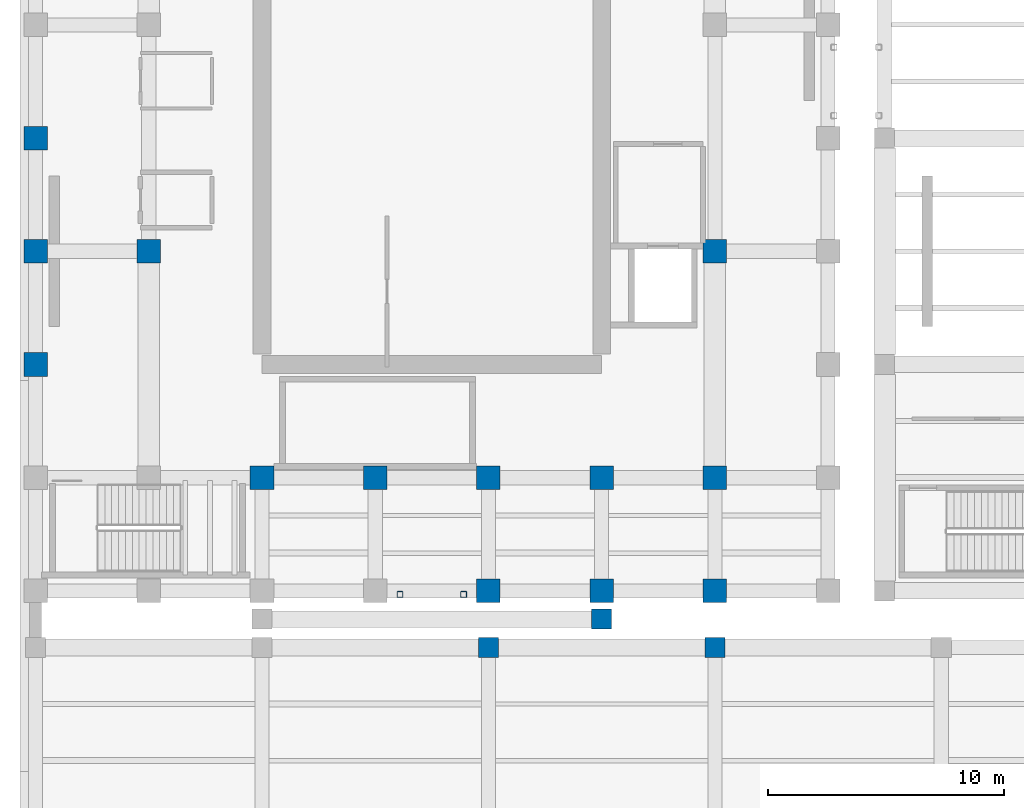
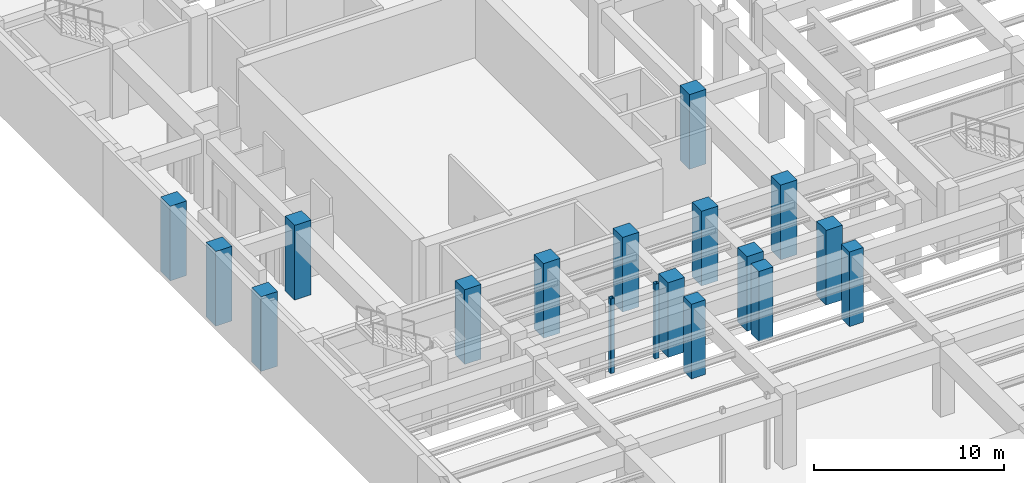
# One storey, part 4 of 45: 18 columns.
"""IFC4 building model written with IfcOpenShell, lengths in metres."""

from ifc_helpers import new_model, si_unit, direction, frame, origin, origin_2d, place, context, subcontext, project, spatial, rectangle, hollow_rectangle, extrude, material, material_profile, profile_set, type_object, element, save


model = new_model("IFC4")

# Units and contexts
model_context = context("Model", 3, precision=1e-05, world=origin(), true_north=direction((0.0, 1.0)))
body_context = subcontext(model_context, "Body", "Model", "MODEL_VIEW")
ifc_project = project(units=[si_unit("LENGTHUNIT", "METRE"), si_unit("AREAUNIT", "SQUARE_METRE"), si_unit("VOLUMEUNIT", "CUBIC_METRE"), si_unit("PLANEANGLEUNIT", "RADIAN"), si_unit("MASSUNIT", "GRAM", prefix="KILO")], contexts=[model_context])

# Site, building, storey
site_placement = place(None, origin())
site = spatial("IfcSite", under=ifc_project, at=site_placement, CompositionType="ELEMENT")
building_placement = place(site_placement, origin())
building = spatial("IfcBuilding", under=site, at=building_placement, Name="Mavantir Sound Aquarium", CompositionType="ELEMENT")
storey_placement = place(building_placement, frame((0.0, 0.0, -4.800048828125)))
storey = spatial("IfcBuildingStorey", under=building, at=storey_placement, Name="B1", CompositionType="ELEMENT", Elevation=-4.800048828125)

# Columns
ifc_material_1 = material(Name="Concrete C40/50", Category="concrete")
ifc_material_profile_1 = material_profile(ifc_material_1, rectangle(XDim=1.0, YDim=1.0, at=origin_2d()), Name="RC 1000X1000")
ifc_profile_set_1 = profile_set([ifc_material_profile_1], Name="Concrete C40/50")
column_type_1 = type_object("IfcColumnType", Name="COL-RC1000-E", PredefinedType="COLUMN", material=ifc_profile_set_1)
for number, where, z_axis, x_axis, name in (
    (1, (0.0, 50.39990234375, 0.0), (0.0, 0.0, 1.0), (1.0, 0.0, 0.0), "B1 column RC-C10 (V1)"),
    (2, (0.0, 55.199951171875, 0.0), (0.0, 0.0, 1.0), (1.0, 0.0, 0.0), "B1 column RC-C10 (V1)"),
    (3, (0.0, 60.0, 0.0), (0.0, 0.0, 1.0), (1.0, 0.0, 0.0), "B1 column RC-C10 (V1)"),
):
    element("IfcColumn", number, at=place(storey_placement, frame(where, z_axis=z_axis, x_axis=x_axis)), inside=storey, type_object=column_type_1, Name=name, PredefinedType="COLUMN", context=body_context, shape_type="SweptSolid", body=[
        extrude(rectangle(XDim=1.0, YDim=1.0, at=origin_2d()), origin(), (0.0, 0.0, 1.0), 4.800048828125),
    ])
ifc_material_profile_2 = material_profile(ifc_material_1, rectangle(XDim=1.0, YDim=1.0, at=origin_2d()), Name="RC 1000X1000")
ifc_profile_set_2 = profile_set([ifc_material_profile_2], Name="Concrete C40/50")
column_type_2 = type_object("IfcColumnType", Name="COL-RC1000-I", PredefinedType="COLUMN", material=ifc_profile_set_2)
for number, where, z_axis, x_axis, name in (
    (4, (4.800048828125, 55.199951171875, 0.0), (0.0, 0.0, 1.0), (1.0, 0.0, 0.0), "B1 column RC-C10 (V1)"),
    (5, (9.60009765625, 45.60009765625, 0.0), (0.0, 0.0, 1.0), (1.0, 0.0, 0.0), "B1 column RC-C10 (V1)"),
    (6, (14.39990234375, 45.60009765625, 0.0), (0.0, 0.0, 1.0), (1.0, 0.0, 0.0), "B1 column RC-C10 (V1)"),
    (7, (19.199951171875, 40.800048828125, 0.0), (0.0, 0.0, 1.0), (1.0, 0.0, 0.0), "B1 column RC-C10 (V1)"),
    (8, (19.199951171875, 45.60009765625, 0.0), (0.0, 0.0, 1.0), (1.0, 0.0, 0.0), "B1 column RC-C10 (V1)"),
    (9, (24.0, 40.800048828125, 0.0), (0.0, 0.0, 1.0), (1.0, 0.0, 0.0), "B1 column RC-C10 (V1)"),
    (10, (24.0, 45.60009765625, 0.0), (0.0, 0.0, 1.0), (1.0, 0.0, 0.0), "B1 column RC-C10 (V1)"),
    (11, (28.800048828125, 40.800048828125, 0.0), (0.0, 0.0, 1.0), (1.0, 0.0, 0.0), "B1 column RC-C10 (V1)"),
    (12, (28.800048828125, 45.60009765625, 0.0), (0.0, 0.0, 1.0), (1.0, 0.0, 0.0), "B1 column RC-C10 (V1)"),
    (13, (28.800048828125, 55.199951171875, 0.0), (0.0, 0.0, 1.0), (1.0, 0.0, 0.0), "B1 column RC-C10 (V1)"),
):
    element("IfcColumn", number, at=place(storey_placement, frame(where, z_axis=z_axis, x_axis=x_axis)), inside=storey, type_object=column_type_2, Name=name, PredefinedType="COLUMN", context=body_context, shape_type="SweptSolid", body=[
        extrude(rectangle(XDim=1.0, YDim=1.0, at=origin_2d()), origin(), (0.0, 0.0, 1.0), 4.800048828125),
    ])
ifc_material_profile_3 = material_profile(ifc_material_1, rectangle(XDim=0.85009765625, YDim=0.85009765625, at=origin_2d()), Name="RC 850X850")
ifc_profile_set_3 = profile_set([ifc_material_profile_3], Name="Concrete C40/50")
column_type_3 = type_object("IfcColumnType", Name="COL-RC850-I", PredefinedType="COLUMN", material=ifc_profile_set_3)
for number, where, z_axis, x_axis, name in (
    (14, (19.199951171875, 38.39990234375, 0.0), (0.0, 0.0, 1.0), (1.0, 0.0, 0.0), "B1 column RC-C85 (V3)"),
    (15, (28.800048828125, 38.39990234375, 0.0), (0.0, 0.0, 1.0), (1.0, 0.0, 0.0), "B1 column RC-C85 (V3)"),
):
    element("IfcColumn", number, at=place(storey_placement, frame(where, z_axis=z_axis, x_axis=x_axis)), inside=storey, type_object=column_type_3, Name=name, PredefinedType="COLUMN", context=body_context, shape_type="SweptSolid", body=[
        extrude(rectangle(XDim=0.85009765625, YDim=0.85009765625, at=origin_2d()), origin(), (0.0, 0.0, 1.0), 4.800048828125),
    ])
column_placement = place(storey_placement, frame((24.0, 39.60009765625, 0.0), z_axis=(0.0, 0.0, 1.0), x_axis=(1.0, 0.0, 0.0)))
element("IfcColumn", 16, at=column_placement, inside=storey, type_object=column_type_3, Name="B1 column RC-C85 (COURT)", PredefinedType="COLUMN", context=body_context, shape_type="SweptSolid", body=[
    extrude(rectangle(XDim=0.85009765625, YDim=0.85009765625, at=origin_2d()), origin(), (0.0, 0.0, 1.0), 4.5),
])
ifc_material_2 = material(Name="Hollow Structural Steel ASTM A500 GrC", Category="steel")
ifc_material_profile_4 = material_profile(ifc_material_2, hollow_rectangle(XDim=0.25, YDim=0.25, WallThickness=0.012451171875, InnerFilletRadius=0.012451171875, OuterFilletRadius=0.02490234375, at=origin_2d()), Name="SHS 250X250X12.5")
ifc_profile_set_4 = profile_set([ifc_material_profile_4], Name="Hollow Structural Steel ASTM A500 GrC")
column_type_4 = type_object("IfcColumnType", Name="COL-SHS250-E", PredefinedType="COLUMN", material=ifc_profile_set_4)
for number, where, z_axis, x_axis, name in (
    (17, (15.449951171875, 40.64990234375, 0.0), (0.0, 0.0, 1.0), (1.0, 0.0, 0.0), "Bridge support column 2.2 (B1)"),
    (18, (18.14990234375, 40.64990234375, 0.0), (0.0, 0.0, 1.0), (1.0, 0.0, 0.0), "Bridge support column 2.4 (B1)"),
):
    element("IfcColumn", number, at=place(storey_placement, frame(where, z_axis=z_axis, x_axis=x_axis)), inside=storey, type_object=column_type_4, Name=name, PredefinedType="COLUMN", context=body_context, shape_type="SweptSolid", body=[
        extrude(hollow_rectangle(XDim=0.25, YDim=0.25, WallThickness=0.012451171875, InnerFilletRadius=0.012451171875, OuterFilletRadius=0.02490234375, at=origin_2d()), origin(), (0.0, 0.0, 1.0), 4.800048828125),
    ])

save(model, "model.ifc")
